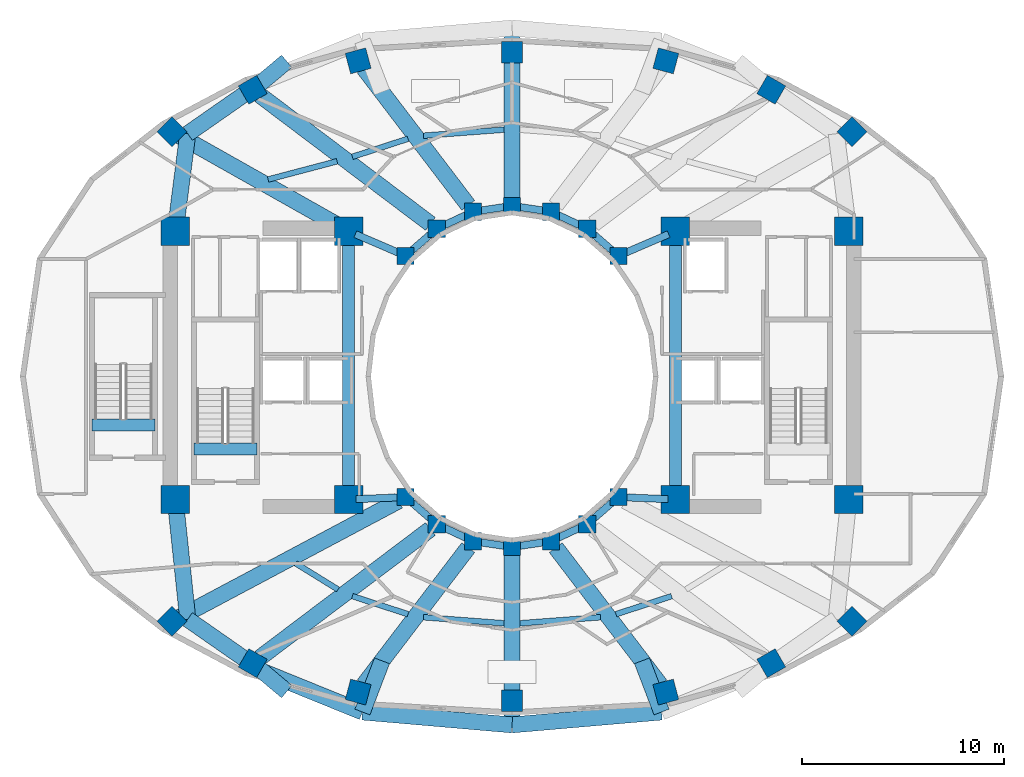
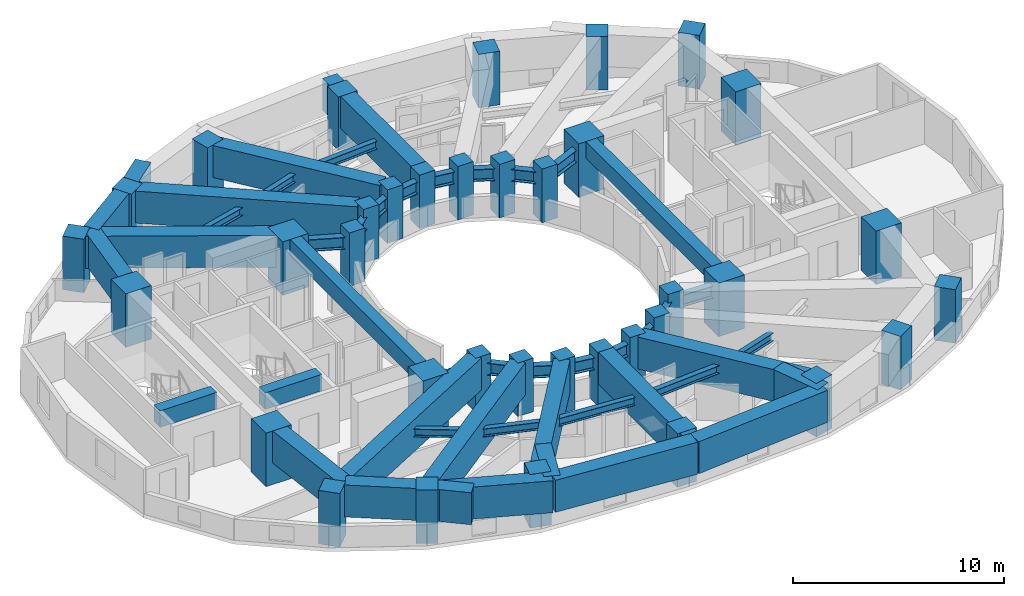
# One storey, part 1 of 9: 48 beams, 36 columns.
"""IFC4 building model written with IfcOpenShell, lengths in metres."""

from ifc_helpers import new_model, si_unit, direction, frame, origin, origin_2d, place, context, subcontext, project, spatial, rectangle, i_section, extrude, material, material_profile, profile_set, type_object, element, save


model = new_model("IFC4")

# Units and contexts
model_context = context("Model", 3, precision=1e-05, world=origin(), true_north=direction((0.0, 1.0)))
body_context = subcontext(model_context, "Body", "Model", "MODEL_VIEW")
ifc_project = project(units=[si_unit("LENGTHUNIT", "METRE"), si_unit("AREAUNIT", "SQUARE_METRE"), si_unit("VOLUMEUNIT", "CUBIC_METRE"), si_unit("PLANEANGLEUNIT", "RADIAN"), si_unit("MASSUNIT", "GRAM", prefix="KILO")], contexts=[model_context])

# Site, building, storey
site_placement = place(None, origin())
site = spatial("IfcSite", under=ifc_project, at=site_placement, CompositionType="ELEMENT")
building_placement = place(site_placement, origin())
building = spatial("IfcBuilding", under=site, at=building_placement, Name="Solvane Sanctuary Tower", CompositionType="ELEMENT")
storey_placement = place(building_placement, frame((0.0, 0.0, 125.89990234375)))
storey = spatial("IfcBuildingStorey", under=building, at=storey_placement, Name="L38", CompositionType="ELEMENT", Elevation=125.89990234375)

# Columns
ifc_material_1 = material(Name="Concrete C70/85", Category="concrete")
ifc_material_profile_1 = material_profile(ifc_material_1, rectangle(XDim=1.39990234375, YDim=1.39990234375, at=origin_2d()), Name="RC1400X1400")
ifc_profile_set_1 = profile_set([ifc_material_profile_1], Name="Concrete C70/85")
column_type_1 = type_object("IfcColumnType", Name="Column C-POD-INT RC1400X1400", PredefinedType="COLUMN", material=ifc_profile_set_1)
for number, where, z_axis, x_axis, name in (
    (1, (15.300048828125, 16.89990234375, 0.0), (0.0, 0.0, 1.0), (1.0, 0.0, 0.0), "L38 Core Corner Column CW1"),
    (2, (23.89990234375, 16.89990234375, 0.0), (0.0, 0.0, 1.0), (1.0, 0.0, 0.0), "L38 Core Corner Column CW2"),
    (3, (23.89990234375, 30.199951171875, 0.0), (0.0, 0.0, 1.0), (1.0, 0.0, 0.0), "L38 Core Corner Column CW3"),
    (4, (15.300048828125, 30.199951171875, 0.0), (0.0, 0.0, 1.0), (1.0, 0.0, 0.0), "L38 Core Corner Column CW4"),
    (5, (40.10009765625, 16.89990234375, 0.0), (0.0, 0.0, 1.0), (1.0, 0.0, 0.0), "L38 Core Corner Column CE1"),
    (6, (48.699951171875, 16.89990234375, 0.0), (0.0, 0.0, 1.0), (1.0, 0.0, 0.0), "L38 Core Corner Column CE2"),
    (7, (48.699951171875, 30.199951171875, 0.0), (0.0, 0.0, 1.0), (1.0, 0.0, 0.0), "L38 Core Corner Column CE3"),
    (8, (40.10009765625, 30.199951171875, 0.0), (0.0, 0.0, 1.0), (1.0, 0.0, 0.0), "L38 Core Corner Column CE4"),
):
    element("IfcColumn", number, at=place(storey_placement, frame(where, z_axis=z_axis, x_axis=x_axis)), inside=storey, type_object=column_type_1, Name=name, PredefinedType="COLUMN", context=body_context, shape_type="SweptSolid", body=[
        extrude(rectangle(XDim=1.39990234375, YDim=1.39990234375, at=origin_2d()), origin(), (0.0, 0.0, 1.0), 3.10009765625),
    ])
ifc_material_2 = material(Name="Concrete C60/75", Category="concrete")
ifc_material_profile_2 = material_profile(ifc_material_2, rectangle(XDim=0.85009765625, YDim=0.85009765625, at=origin_2d()), Name="RC850X850")
ifc_profile_set_2 = profile_set([ifc_material_profile_2], Name="Concrete C60/75")
column_type_2 = type_object("IfcColumnType", Name="Column C-RING-Z2 RC850X850", PredefinedType="COLUMN", material=ifc_profile_set_2)
for number, where, z_axis, x_axis, name in (
    (9, (37.27490234375, 28.982177734375, 0.0), (0.0, 0.0, 1.0), (1.0, 0.0, 0.0), "L38 Inner Light-Well Ring Column IC01"),
    (10, (35.72998046875, 30.32666015625, 0.0), (0.0, 0.0, 1.0), (1.0, 0.0, 0.0), "L38 Inner Light-Well Ring Column IC02"),
    (11, (33.930908203125, 31.171630859375, 0.0), (0.0, 0.0, 1.0), (1.0, 0.0, 0.0), "L38 Inner Light-Well Ring Column IC03"),
    (12, (32.0, 31.4599609375, 0.0), (0.0, 0.0, 1.0), (1.0, 0.0, 0.0), "L38 Inner Light-Well Ring Column IC04"),
    (13, (30.069091796875, 31.171630859375, 0.0), (0.0, 0.0, 1.0), (1.0, 0.0, 0.0), "L38 Inner Light-Well Ring Column IC05"),
    (14, (28.27001953125, 30.32666015625, 0.0), (0.0, 0.0, 1.0), (1.0, 0.0, 0.0), "L38 Inner Light-Well Ring Column IC06"),
    (15, (26.72509765625, 28.982177734375, 0.0), (0.0, 0.0, 1.0), (1.0, 0.0, 0.0), "L38 Inner Light-Well Ring Column IC07"),
    (16, (26.72509765625, 17.017822265625, 0.0), (0.0, 0.0, 1.0), (1.0, 0.0, 0.0), "L38 Inner Light-Well Ring Column IC08"),
    (17, (28.27001953125, 15.67333984375, 0.0), (0.0, 0.0, 1.0), (1.0, 0.0, 0.0), "L38 Inner Light-Well Ring Column IC09"),
    (18, (30.069091796875, 14.828369140625, 0.0), (0.0, 0.0, 1.0), (1.0, 0.0, 0.0), "L38 Inner Light-Well Ring Column IC10"),
    (19, (32.0, 14.5400390625, 0.0), (0.0, 0.0, 1.0), (1.0, 0.0, 0.0), "L38 Inner Light-Well Ring Column IC11"),
    (20, (33.930908203125, 14.828369140625, 0.0), (0.0, 0.0, 1.0), (1.0, 0.0, 0.0), "L38 Inner Light-Well Ring Column IC12"),
    (21, (35.72998046875, 15.67333984375, 0.0), (0.0, 0.0, 1.0), (1.0, 0.0, 0.0), "L38 Inner Light-Well Ring Column IC13"),
    (22, (37.27490234375, 17.017822265625, 0.0), (0.0, 0.0, 1.0), (1.0, 0.0, 0.0), "L38 Inner Light-Well Ring Column IC14"),
):
    element("IfcColumn", number, at=place(storey_placement, frame(where, z_axis=z_axis, x_axis=x_axis)), inside=storey, type_object=column_type_2, Name=name, PredefinedType="COLUMN", context=body_context, shape_type="SweptSolid", body=[
        extrude(rectangle(XDim=0.85009765625, YDim=0.85009765625, at=origin_2d()), origin(), (0.0, 0.0, 1.0), 3.10009765625),
    ])
ifc_material_profile_3 = material_profile(ifc_material_2, rectangle(XDim=1.050048828125, YDim=1.050048828125, at=origin_2d()), Name="RC1050X1050")
ifc_profile_set_3 = profile_set([ifc_material_profile_3], Name="Concrete C60/75")
column_type_3 = type_object("IfcColumnType", Name="Column C-TUBE-Z2 RC1050X1050", PredefinedType="COLUMN", material=ifc_profile_set_3)
for number, where, z_axis, x_axis, name in (
    (23, (48.85302734375, 35.13818359375, 0.0), (0.0, 0.0, 1.0), (0.707106781187, 0.707106781187, 0.0), "L38 Perimeter Tube Column TC01"),
    (24, (44.8583984375, 37.217529296875, 0.0), (0.0, 0.0, 1.0), (0.5, 0.866025403784, 0.0), "L38 Perimeter Tube Column TC02"),
    (25, (39.62939453125, 38.652099609375, 0.0), (0.0, 0.0, 1.0), (0.258819045103, 0.965925826289, 0.0), "L38 Perimeter Tube Column TC03"),
    (26, (32.0, 39.080078125, 0.0), (0.0, 0.0, 1.0), (0.0, 1.0, 0.0), "L38 Perimeter Tube Column TC04"),
    (27, (24.37060546875, 38.652099609375, 0.0), (0.0, 0.0, 1.0), (-0.258819045103, 0.965925826289, 0.0), "L38 Perimeter Tube Column TC05"),
    (28, (19.1416015625, 37.217529296875, 0.0), (0.0, 0.0, 1.0), (-0.5, 0.866025403784, 0.0), "L38 Perimeter Tube Column TC06"),
    (29, (15.14697265625, 35.13818359375, 0.0), (0.0, 0.0, 1.0), (-0.707106781187, 0.707106781187, 0.0), "L38 Perimeter Tube Column TC07"),
    (30, (15.14697265625, 10.86181640625, 0.0), (0.0, 0.0, 1.0), (-0.707106781187, -0.707106781187, 0.0), "L38 Perimeter Tube Column TC08"),
    (31, (19.1416015625, 8.782470703125, 0.0), (0.0, 0.0, 1.0), (-0.5, -0.866025403784, 0.0), "L38 Perimeter Tube Column TC09"),
    (32, (24.37060546875, 7.347900390625, 0.0), (0.0, 0.0, 1.0), (-0.258819045103, -0.965925826289, 0.0), "L38 Perimeter Tube Column TC10"),
    (33, (32.0, 6.919921875, 0.0), (0.0, 0.0, 1.0), (0.0, -1.0, 0.0), "L38 Perimeter Tube Column TC11"),
    (34, (39.62939453125, 7.347900390625, 0.0), (0.0, 0.0, 1.0), (0.258819045103, -0.965925826289, 0.0), "L38 Perimeter Tube Column TC12"),
    (35, (44.8583984375, 8.782470703125, 0.0), (0.0, 0.0, 1.0), (0.5, -0.866025403784, 0.0), "L38 Perimeter Tube Column TC13"),
    (36, (48.85302734375, 10.86181640625, 0.0), (0.0, 0.0, 1.0), (0.707106781187, -0.707106781187, 0.0), "L38 Perimeter Tube Column TC14"),
):
    element("IfcColumn", number, at=place(storey_placement, frame(where, z_axis=z_axis, x_axis=x_axis)), inside=storey, type_object=column_type_3, Name=name, PredefinedType="COLUMN", context=body_context, shape_type="SweptSolid", body=[
        extrude(rectangle(XDim=1.050048828125, YDim=1.050048828125, at=origin_2d()), origin(), (0.0, 0.0, 1.0), 3.10009765625),
    ])

# Beams
ifc_material_profile_4 = material_profile(ifc_material_1, rectangle(XDim=0.60009765625, YDim=0.949951171875, at=origin_2d()), Name="RC600X950")
ifc_profile_set_4 = profile_set([ifc_material_profile_4], Name="Concrete C70/85")
beam_type_1 = type_object("IfcBeamType", Name="Beam B-COUPLE RC600X950", PredefinedType="LINTEL", material=ifc_profile_set_4)
for number, where, z_axis, x_axis, name in (
    (37, (23.89990234375, 17.35009765625, 2.625), (0.0, 1.0, 0.0), (-1.0, 0.0, 0.0), "L38 West Core Coupling Lintel"),
    (38, (40.10009765625, 17.35009765625, 2.625), (0.0, 1.0, 0.0), (-1.0, 0.0, 0.0), "L38 East Core Coupling Lintel"),
):
    element("IfcBeam", number, at=place(storey_placement, frame(where, z_axis=z_axis, x_axis=x_axis)), inside=storey, type_object=beam_type_1, Name=name, PredefinedType="LINTEL", context=body_context, shape_type="SweptSolid", body=[
        extrude(rectangle(XDim=0.60009765625, YDim=0.949951171875, at=origin_2d()), origin(), (0.0, 0.0, 1.0), 12.39990234375),
    ])
for number, where, z_axis, x_axis, name in (
    (39, (16.22998046875, 19.399169921875, 2.625), (1.0, 0.0, 0.0), (0.0, 1.0, 0.0), "L38 ST-1 Stair Floor Landing Trimmer"),
    (40, (11.169921875, 20.59912109375, 2.625), (1.0, 0.0, 0.0), (0.0, 1.0, 0.0), "L38 ST-3 Stair Floor Landing Trimmer"),
):
    element("IfcBeam", number, at=place(storey_placement, frame(where, z_axis=z_axis, x_axis=x_axis)), inside=storey, type_object=beam_type_1, Name=name, PredefinedType="LINTEL", context=body_context, shape_type="SweptSolid", body=[
        extrude(rectangle(XDim=0.60009765625, YDim=0.949951171875, at=origin_2d()), origin(), (0.0, 0.0, 1.0), 3.1201171875),
    ])
ifc_material_3 = material(Name="Steel ASTM A992 Grade 50", Category="steel")
ifc_material_profile_5 = material_profile(ifc_material_3, i_section(OverallWidth=0.35498046875, OverallDepth=0.695068359375, WebThickness=0.015380859375, FlangeThickness=0.02490234375, FilletRadius=0.01806640625, at=origin_2d()), Name="W27X146")
ifc_profile_set_5 = profile_set([ifc_material_profile_5], Name="Steel ASTM A992 Grade 50")
beam_type_2 = type_object("IfcBeamType", Name="Beam B-RING-IN1 W27X146", PredefinedType="BEAM", material=ifc_profile_set_5)
beam_1_placement = place(storey_placement, frame((24.230712890625, 30.0576171875, 2.25048828125), z_axis=(0.918261456479, -0.3959746173, 0.0), x_axis=(0.3959746173, 0.918261456479, 0.0)))
element("IfcBeam", 41, at=beam_1_placement, inside=storey, type_object=beam_type_2, Name="L38 Inner Light-Well Ring Beam CW3-IC07", PredefinedType="BEAM", context=body_context, shape_type="SweptSolid", body=[
    extrude(i_section(OverallWidth=0.35498046875, OverallDepth=0.695068359375, WebThickness=0.015380859375, FlangeThickness=0.02490234375, FilletRadius=0.01806640625, at=origin_2d()), origin(), (0.0, 0.0, 1.0), 2.3212890625),
])
beam_2_placement = place(storey_placement, frame((27.02294921875, 29.241455078125, 2.25048828125), z_axis=(0.754317177099, 0.656510164684, 0.0), x_axis=(-0.656510164684, 0.754317177099, 0.0)))
element("IfcBeam", 42, at=beam_2_placement, inside=storey, type_object=beam_type_2, Name="L38 Inner Light-Well Ring Beam IC07-IC06", PredefinedType="BEAM", context=body_context, shape_type="SweptSolid", body=[
    extrude(i_section(OverallWidth=0.35498046875, OverallDepth=0.695068359375, WebThickness=0.015380859375, FlangeThickness=0.02490234375, FilletRadius=0.01806640625, at=origin_2d()), origin(), (0.0, 0.0, 1.0), 1.258056640625),
])
beam_3_placement = place(storey_placement, frame((28.62744140625, 30.494384765625, 2.25048828125), z_axis=(0.905044882818, 0.425316070804, 0.0), x_axis=(-0.425316070804, 0.905044882818, 0.0)))
element("IfcBeam", 43, at=beam_3_placement, inside=storey, type_object=beam_type_2, Name="L38 Inner Light-Well Ring Beam IC06-IC05", PredefinedType="BEAM", context=body_context, shape_type="SweptSolid", body=[
    extrude(i_section(OverallWidth=0.35498046875, OverallDepth=0.695068359375, WebThickness=0.015380859375, FlangeThickness=0.02490234375, FilletRadius=0.01806640625, at=origin_2d()), origin(), (0.0, 0.0, 1.0), 1.197998046875),
])
for number, where, z_axis, x_axis, name in (
    (44, (30.4599609375, 31.22998046875, 2.25048828125), (0.989034751611, 0.147682971619, 0.0), (-0.147682971619, 0.989034751611, 0.0), "L38 Inner Light-Well Ring Beam IC05-IC04"),
    (45, (32.390625, 31.401611328125, 2.25048828125), (0.989034751611, -0.147682971619, 0.0), (0.147682971619, 0.989034751611, 0.0), "L38 Inner Light-Well Ring Beam IC04-IC03"),
):
    element("IfcBeam", number, at=place(storey_placement, frame(where, z_axis=z_axis, x_axis=x_axis)), inside=storey, type_object=beam_type_2, Name=name, PredefinedType="BEAM", context=body_context, shape_type="SweptSolid", body=[
        extrude(i_section(OverallWidth=0.35498046875, OverallDepth=0.695068359375, WebThickness=0.015380859375, FlangeThickness=0.02490234375, FilletRadius=0.01806640625, at=origin_2d()), origin(), (0.0, 0.0, 1.0), 1.162109375),
    ])
beam_4_placement = place(storey_placement, frame((34.288330078125, 31.00390625, 2.25048828125), z_axis=(0.905044882818, -0.425316070804, 0.0), x_axis=(0.425316070804, 0.905044882818, 0.0)))
element("IfcBeam", 46, at=beam_4_placement, inside=storey, type_object=beam_type_2, Name="L38 Inner Light-Well Ring Beam IC03-IC02", PredefinedType="BEAM", context=body_context, shape_type="SweptSolid", body=[
    extrude(i_section(OverallWidth=0.35498046875, OverallDepth=0.695068359375, WebThickness=0.015380859375, FlangeThickness=0.02490234375, FilletRadius=0.01806640625, at=origin_2d()), origin(), (0.0, 0.0, 1.0), 1.197998046875),
])
beam_5_placement = place(storey_placement, frame((36.028076171875, 30.0673828125, 2.25048828125), z_axis=(0.754317177099, -0.656510164684, 0.0), x_axis=(0.656510164684, 0.754317177099, 0.0)))
element("IfcBeam", 47, at=beam_5_placement, inside=storey, type_object=beam_type_2, Name="L38 Inner Light-Well Ring Beam IC02-IC01", PredefinedType="BEAM", context=body_context, shape_type="SweptSolid", body=[
    extrude(i_section(OverallWidth=0.35498046875, OverallDepth=0.695068359375, WebThickness=0.015380859375, FlangeThickness=0.02490234375, FilletRadius=0.01806640625, at=origin_2d()), origin(), (0.0, 0.0, 1.0), 1.258056640625),
])
beam_6_placement = place(storey_placement, frame((37.6376953125, 29.138427734375, 2.25048828125), z_axis=(0.918261456479, 0.3959746173, 0.0), x_axis=(-0.3959746173, 0.918261456479, 0.0)))
element("IfcBeam", 48, at=beam_6_placement, inside=storey, type_object=beam_type_2, Name="L38 Inner Light-Well Ring Beam IC01-CE4", PredefinedType="BEAM", context=body_context, shape_type="SweptSolid", body=[
    extrude(i_section(OverallWidth=0.35498046875, OverallDepth=0.695068359375, WebThickness=0.015380859375, FlangeThickness=0.02490234375, FilletRadius=0.01806640625, at=origin_2d()), origin(), (0.0, 0.0, 1.0), 2.3212890625),
])
beam_7_placement = place(storey_placement, frame((24.259765625, 16.9150390625, 2.25048828125), z_axis=(0.999130007788, 0.041704047018, 0.0), x_axis=(-0.041704047018, 0.999130007788, 0.0)))
element("IfcBeam", 49, at=beam_7_placement, inside=storey, type_object=beam_type_2, Name="L38 Inner Light-Well Ring Beam CW2-IC08", PredefinedType="BEAM", context=body_context, shape_type="SweptSolid", body=[
    extrude(i_section(OverallWidth=0.35498046875, OverallDepth=0.695068359375, WebThickness=0.015380859375, FlangeThickness=0.02490234375, FilletRadius=0.01806640625, at=origin_2d()), origin(), (0.0, 0.0, 1.0), 2.072265625),
])
beam_8_placement = place(storey_placement, frame((27.02294921875, 16.758544921875, 2.25048828125), z_axis=(0.754317177099, -0.656510164684, 0.0), x_axis=(0.656510164684, 0.754317177099, 0.0)))
element("IfcBeam", 50, at=beam_8_placement, inside=storey, type_object=beam_type_2, Name="L38 Inner Light-Well Ring Beam IC08-IC09", PredefinedType="BEAM", context=body_context, shape_type="SweptSolid", body=[
    extrude(i_section(OverallWidth=0.35498046875, OverallDepth=0.695068359375, WebThickness=0.015380859375, FlangeThickness=0.02490234375, FilletRadius=0.01806640625, at=origin_2d()), origin(), (0.0, 0.0, 1.0), 1.258056640625),
])
beam_9_placement = place(storey_placement, frame((28.62744140625, 15.505615234375, 2.25048828125), z_axis=(0.905044882818, -0.425316070804, 0.0), x_axis=(0.425316070804, 0.905044882818, 0.0)))
element("IfcBeam", 51, at=beam_9_placement, inside=storey, type_object=beam_type_2, Name="L38 Inner Light-Well Ring Beam IC09-IC10", PredefinedType="BEAM", context=body_context, shape_type="SweptSolid", body=[
    extrude(i_section(OverallWidth=0.35498046875, OverallDepth=0.695068359375, WebThickness=0.015380859375, FlangeThickness=0.02490234375, FilletRadius=0.01806640625, at=origin_2d()), origin(), (0.0, 0.0, 1.0), 1.197998046875),
])
for number, where, z_axis, x_axis, name in (
    (52, (30.4599609375, 14.77001953125, 2.25048828125), (0.989034751611, -0.147682971619, 0.0), (0.147682971619, 0.989034751611, 0.0), "L38 Inner Light-Well Ring Beam IC10-IC11"),
    (53, (32.390625, 14.598388671875, 2.25048828125), (0.989034751611, 0.147682971619, 0.0), (-0.147682971619, 0.989034751611, 0.0), "L38 Inner Light-Well Ring Beam IC11-IC12"),
):
    element("IfcBeam", number, at=place(storey_placement, frame(where, z_axis=z_axis, x_axis=x_axis)), inside=storey, type_object=beam_type_2, Name=name, PredefinedType="BEAM", context=body_context, shape_type="SweptSolid", body=[
        extrude(i_section(OverallWidth=0.35498046875, OverallDepth=0.695068359375, WebThickness=0.015380859375, FlangeThickness=0.02490234375, FilletRadius=0.01806640625, at=origin_2d()), origin(), (0.0, 0.0, 1.0), 1.162109375),
    ])
beam_10_placement = place(storey_placement, frame((34.288330078125, 14.99609375, 2.25048828125), z_axis=(0.905044882818, 0.425316070804, 0.0), x_axis=(-0.425316070804, 0.905044882818, 0.0)))
element("IfcBeam", 54, at=beam_10_placement, inside=storey, type_object=beam_type_2, Name="L38 Inner Light-Well Ring Beam IC12-IC13", PredefinedType="BEAM", context=body_context, shape_type="SweptSolid", body=[
    extrude(i_section(OverallWidth=0.35498046875, OverallDepth=0.695068359375, WebThickness=0.015380859375, FlangeThickness=0.02490234375, FilletRadius=0.01806640625, at=origin_2d()), origin(), (0.0, 0.0, 1.0), 1.197998046875),
])
beam_11_placement = place(storey_placement, frame((36.028076171875, 15.9326171875, 2.25048828125), z_axis=(0.754317177099, 0.656510164684, 0.0), x_axis=(-0.656510164684, 0.754317177099, 0.0)))
element("IfcBeam", 55, at=beam_11_placement, inside=storey, type_object=beam_type_2, Name="L38 Inner Light-Well Ring Beam IC13-IC14", PredefinedType="BEAM", context=body_context, shape_type="SweptSolid", body=[
    extrude(i_section(OverallWidth=0.35498046875, OverallDepth=0.695068359375, WebThickness=0.015380859375, FlangeThickness=0.02490234375, FilletRadius=0.01806640625, at=origin_2d()), origin(), (0.0, 0.0, 1.0), 1.258056640625),
])
beam_12_placement = place(storey_placement, frame((37.669677734375, 17.00146484375, 2.25048828125), z_axis=(0.999130007788, -0.041704047018, 0.0), x_axis=(0.041704047018, 0.999130007788, 0.0)))
element("IfcBeam", 56, at=beam_12_placement, inside=storey, type_object=beam_type_2, Name="L38 Inner Light-Well Ring Beam IC14-CE1", PredefinedType="BEAM", context=body_context, shape_type="SweptSolid", body=[
    extrude(i_section(OverallWidth=0.35498046875, OverallDepth=0.695068359375, WebThickness=0.015380859375, FlangeThickness=0.02490234375, FilletRadius=0.01806640625, at=origin_2d()), origin(), (0.0, 0.0, 1.0), 2.072265625),
])
ifc_material_profile_6 = material_profile(ifc_material_3, i_section(OverallWidth=0.280029296875, OverallDepth=0.462890625, WebThickness=0.0107421875, FlangeThickness=0.017333984375, FilletRadius=0.013916015625, at=origin_2d()), Name="W18X76")
ifc_profile_set_6 = profile_set([ifc_material_profile_6], Name="Steel ASTM A992 Grade 50")
beam_type_3 = type_object("IfcBeamType", Name="Beam B-SEC-JOIST W18X76", PredefinedType="JOIST", material=ifc_profile_set_6)
beam_13_placement = place(storey_placement, frame((19.905517578125, 32.769775390625, 2.36669921875), z_axis=(0.966933950573, 0.2550269304, 0.0), x_axis=(-0.2550269304, 0.966933950573, 0.0)))
element("IfcBeam", 57, at=beam_13_placement, inside=storey, type_object=beam_type_3, Name="L38 Secondary Circumferential Joist 07-06", PredefinedType="JOIST", context=body_context, shape_type="SweptSolid", body=[
    extrude(i_section(OverallWidth=0.280029296875, OverallDepth=0.462890625, WebThickness=0.0107421875, FlangeThickness=0.017333984375, FilletRadius=0.013916015625, at=origin_2d()), origin(), (0.0, 0.0, 1.0), 3.535400390625),
])
beam_14_placement = place(storey_placement, frame((24.08154296875, 33.89404296875, 2.36669921875), z_axis=(0.951224152345, 0.308500586701, 0.0), x_axis=(-0.308500586701, 0.951224152345, 0.0)))
element("IfcBeam", 58, at=beam_14_placement, inside=storey, type_object=beam_type_3, Name="L38 Secondary Circumferential Joist 06-05", PredefinedType="JOIST", context=body_context, shape_type="SweptSolid", body=[
    extrude(i_section(OverallWidth=0.280029296875, OverallDepth=0.462890625, WebThickness=0.0107421875, FlangeThickness=0.017333984375, FilletRadius=0.013916015625, at=origin_2d()), origin(), (0.0, 0.0, 1.0), 2.904296875),
])
beam_15_placement = place(storey_placement, frame((27.61376953125, 34.94140625, 2.36669921875), z_axis=(0.997206014057, 0.074700505548, 0.0), x_axis=(-0.074700505548, 0.997206014057, 0.0)))
element("IfcBeam", 59, at=beam_15_placement, inside=storey, type_object=beam_type_3, Name="L38 Secondary Circumferential Joist 05-04", PredefinedType="JOIST", context=body_context, shape_type="SweptSolid", body=[
    extrude(i_section(OverallWidth=0.280029296875, OverallDepth=0.462890625, WebThickness=0.0107421875, FlangeThickness=0.017333984375, FilletRadius=0.013916015625, at=origin_2d()), origin(), (0.0, 0.0, 1.0), 4.003662109375),
])
beam_16_placement = place(storey_placement, frame((21.27197265625, 13.732177734375, 2.36669921875), z_axis=(0.850640451739, -0.525747869101, 0.0), x_axis=(0.525747869101, 0.850640451739, 0.0)))
element("IfcBeam", 60, at=beam_16_placement, inside=storey, type_object=beam_type_3, Name="L38 Secondary Circumferential Joist 08-09", PredefinedType="JOIST", context=body_context, shape_type="SweptSolid", body=[
    extrude(i_section(OverallWidth=0.280029296875, OverallDepth=0.462890625, WebThickness=0.0107421875, FlangeThickness=0.017333984375, FilletRadius=0.013916015625, at=origin_2d()), origin(), (0.0, 0.0, 1.0), 2.46630859375),
])
beam_17_placement = place(storey_placement, frame((24.08154296875, 12.10595703125, 2.36669921875), z_axis=(0.951224152345, -0.308500586701, 0.0), x_axis=(0.308500586701, 0.951224152345, 0.0)))
element("IfcBeam", 61, at=beam_17_placement, inside=storey, type_object=beam_type_3, Name="L38 Secondary Circumferential Joist 09-10", PredefinedType="JOIST", context=body_context, shape_type="SweptSolid", body=[
    extrude(i_section(OverallWidth=0.280029296875, OverallDepth=0.462890625, WebThickness=0.0107421875, FlangeThickness=0.017333984375, FilletRadius=0.013916015625, at=origin_2d()), origin(), (0.0, 0.0, 1.0), 2.904296875),
])
for number, where, z_axis, x_axis, name in (
    (62, (27.61376953125, 11.05859375, 2.36669921875), (0.997206014057, -0.074700505548, 0.0), (0.074700505548, 0.997206014057, 0.0), "L38 Secondary Circumferential Joist 10-11"),
    (63, (32.393798828125, 10.759521484375, 2.36669921875), (0.997206014057, 0.074700505548, 0.0), (-0.074700505548, 0.997206014057, 0.0), "L38 Secondary Circumferential Joist 11-12"),
):
    element("IfcBeam", number, at=place(storey_placement, frame(where, z_axis=z_axis, x_axis=x_axis)), inside=storey, type_object=beam_type_3, Name=name, PredefinedType="JOIST", context=body_context, shape_type="SweptSolid", body=[
        extrude(i_section(OverallWidth=0.280029296875, OverallDepth=0.462890625, WebThickness=0.0107421875, FlangeThickness=0.017333984375, FilletRadius=0.013916015625, at=origin_2d()), origin(), (0.0, 0.0, 1.0), 4.003662109375),
    ])
beam_18_placement = place(storey_placement, frame((37.15576171875, 11.2099609375, 2.36669921875), z_axis=(0.951224152345, 0.308500586701, 0.0), x_axis=(-0.308500586701, 0.951224152345, 0.0)))
element("IfcBeam", 64, at=beam_18_placement, inside=storey, type_object=beam_type_3, Name="L38 Secondary Circumferential Joist 12-13", PredefinedType="JOIST", context=body_context, shape_type="SweptSolid", body=[
    extrude(i_section(OverallWidth=0.280029296875, OverallDepth=0.462890625, WebThickness=0.0107421875, FlangeThickness=0.017333984375, FilletRadius=0.013916015625, at=origin_2d()), origin(), (0.0, 0.0, 1.0), 2.904296875),
])
ifc_material_profile_7 = material_profile(ifc_material_1, rectangle(XDim=0.800048828125, YDim=1.85009765625, at=origin_2d()), Name="RC800X1850")
ifc_profile_set_7 = profile_set([ifc_material_profile_7], Name="Concrete C70/85")
beam_type_4 = type_object("IfcBeamType", Name="Beam B-XFER-BLK RC800X1850", PredefinedType="BEAM", material=ifc_profile_set_7)
beam_19_placement = place(storey_placement, frame((32.0, 31.85498046875, 2.175048828125), z_axis=(0.0, 1.0, 0.0), x_axis=(-1.0, 0.0, 0.0)))
element("IfcBeam", 65, at=beam_19_placement, inside=storey, type_object=beam_type_4, Name="L38 Block-Shift Radial Transfer Girder 04A", PredefinedType="BEAM", context=body_context, shape_type="SweptSolid", body=[
    extrude(rectangle(XDim=0.800048828125, YDim=1.85009765625, at=origin_2d()), origin(), (0.0, 0.0, 1.0), 8.425048828125),
])
beam_20_placement = place(storey_placement, frame((29.829833984375, 31.48583984375, 2.175048828125), z_axis=(-0.605981369549, 0.795478836777, 0.0), x_axis=(-0.795478836777, -0.605981369549, 0.0)))
element("IfcBeam", 66, at=beam_20_placement, inside=storey, type_object=beam_type_4, Name="L38 Block-Shift Radial Transfer Girder 05A", PredefinedType="BEAM", context=body_context, shape_type="SweptSolid", body=[
    extrude(rectangle(XDim=0.800048828125, YDim=1.85009765625, at=origin_2d()), origin(), (0.0, 0.0, 1.0), 8.563720703125),
])
beam_21_placement = place(storey_placement, frame((27.95458984375, 30.564697265625, 2.175048828125), z_axis=(-0.798118916751, 0.602499954128, 0.0), x_axis=(-0.602499954128, -0.798118916751, 0.0)))
element("IfcBeam", 67, at=beam_21_placement, inside=storey, type_object=beam_type_4, Name="L38 Block-Shift Radial Transfer Girder 06A", PredefinedType="BEAM", context=body_context, shape_type="SweptSolid", body=[
    extrude(rectangle(XDim=0.800048828125, YDim=1.85009765625, at=origin_2d()), origin(), (0.0, 0.0, 1.0), 10.59716796875),
])
beam_22_placement = place(storey_placement, frame((19.179931640625, 37.24951171875, 2.175048828125), z_axis=(0.766739477312, 0.641958389564, 0.0), x_axis=(-0.641958389564, 0.766739477312, 0.0)))
element("IfcBeam", 68, at=beam_22_placement, inside=storey, type_object=beam_type_4, Name="L38 Block-Shift Transfer Tie 06B", PredefinedType="BEAM", context=body_context, shape_type="SweptSolid", body=[
    extrude(rectangle(XDim=0.800048828125, YDim=1.85009765625, at=origin_2d()), origin(), (0.0, 0.0, 1.0), 2.150146484375),
])
beam_23_placement = place(storey_placement, frame((23.58642578125, 30.376953125, 2.175048828125), z_axis=(-0.870953365504, 0.491365683699, 0.0), x_axis=(-0.491365683699, -0.870953365504, 0.0)))
element("IfcBeam", 69, at=beam_23_placement, inside=storey, type_object=beam_type_4, Name="L38 Block-Shift Radial Transfer Girder 07A", PredefinedType="BEAM", context=body_context, shape_type="SweptSolid", body=[
    extrude(rectangle(XDim=0.800048828125, YDim=1.85009765625, at=origin_2d()), origin(), (0.0, 0.0, 1.0), 9.284912109375),
])
beam_24_placement = place(storey_placement, frame((26.376220703125, 16.83251953125, 2.175048828125), z_axis=(-0.882947765394, -0.469471238294, 0.0), x_axis=(0.469471238294, -0.882947765394, 0.0)))
element("IfcBeam", 70, at=beam_24_placement, inside=storey, type_object=beam_type_4, Name="L38 Block-Shift Radial Transfer Girder 08A", PredefinedType="BEAM", context=body_context, shape_type="SweptSolid", body=[
    extrude(rectangle(XDim=0.800048828125, YDim=1.85009765625, at=origin_2d()), origin(), (0.0, 0.0, 1.0), 12.312744140625),
])
beam_25_placement = place(storey_placement, frame((27.95458984375, 15.435302734375, 2.175048828125), z_axis=(-0.798118916751, -0.602499954128, 0.0), x_axis=(0.602499954128, -0.798118916751, 0.0)))
element("IfcBeam", 71, at=beam_25_placement, inside=storey, type_object=beam_type_4, Name="L38 Block-Shift Radial Transfer Girder 09A", PredefinedType="BEAM", context=body_context, shape_type="SweptSolid", body=[
    extrude(rectangle(XDim=0.800048828125, YDim=1.85009765625, at=origin_2d()), origin(), (0.0, 0.0, 1.0), 10.59716796875),
])
beam_26_placement = place(storey_placement, frame((19.179931640625, 8.75048828125, 2.175048828125), z_axis=(0.766739477312, -0.641958389564, 0.0), x_axis=(0.641958389564, 0.766739477312, 0.0)))
element("IfcBeam", 72, at=beam_26_placement, inside=storey, type_object=beam_type_4, Name="L38 Block-Shift Transfer Tie 09B", PredefinedType="BEAM", context=body_context, shape_type="SweptSolid", body=[
    extrude(rectangle(XDim=0.800048828125, YDim=1.85009765625, at=origin_2d()), origin(), (0.0, 0.0, 1.0), 2.150146484375),
])
beam_27_placement = place(storey_placement, frame((29.829833984375, 14.51416015625, 2.175048828125), z_axis=(-0.605981369549, -0.795478836777, 0.0), x_axis=(0.795478836777, -0.605981369549, 0.0)))
element("IfcBeam", 73, at=beam_27_placement, inside=storey, type_object=beam_type_4, Name="L38 Block-Shift Radial Transfer Girder 10A", PredefinedType="BEAM", context=body_context, shape_type="SweptSolid", body=[
    extrude(rectangle(XDim=0.800048828125, YDim=1.85009765625, at=origin_2d()), origin(), (0.0, 0.0, 1.0), 8.563720703125),
])
beam_28_placement = place(storey_placement, frame((25.55224609375, 8.899169921875, 2.175048828125), z_axis=(-0.356637449098, -0.934242864517, 0.0), x_axis=(0.934242864517, -0.356637449098, 0.0)))
element("IfcBeam", 74, at=beam_28_placement, inside=storey, type_object=beam_type_4, Name="L38 Block-Shift Transfer Tie 10B", PredefinedType="BEAM", context=body_context, shape_type="SweptSolid", body=[
    extrude(rectangle(XDim=0.800048828125, YDim=1.85009765625, at=origin_2d()), origin(), (0.0, 0.0, 1.0), 2.718994140625),
])
beam_29_placement = place(storey_placement, frame((32.0, 14.14501953125, 2.175048828125), z_axis=(0.0, -1.0, 0.0), x_axis=(1.0, 0.0, 0.0)))
element("IfcBeam", 75, at=beam_29_placement, inside=storey, type_object=beam_type_4, Name="L38 Block-Shift Radial Transfer Girder 11A", PredefinedType="BEAM", context=body_context, shape_type="SweptSolid", body=[
    extrude(rectangle(XDim=0.800048828125, YDim=1.85009765625, at=origin_2d()), origin(), (0.0, 0.0, 1.0), 8.425048828125),
])
beam_30_placement = place(storey_placement, frame((34.170166015625, 14.51416015625, 2.175048828125), z_axis=(0.605981369549, -0.795478836777, 0.0), x_axis=(0.795478836777, 0.605981369549, 0.0)))
element("IfcBeam", 76, at=beam_30_placement, inside=storey, type_object=beam_type_4, Name="L38 Block-Shift Radial Transfer Girder 12A", PredefinedType="BEAM", context=body_context, shape_type="SweptSolid", body=[
    extrude(rectangle(XDim=0.800048828125, YDim=1.85009765625, at=origin_2d()), origin(), (0.0, 0.0, 1.0), 8.563720703125),
])
beam_31_placement = place(storey_placement, frame((38.44775390625, 8.899169921875, 2.175048828125), z_axis=(0.356637449098, -0.934242864517, 0.0), x_axis=(0.934242864517, 0.356637449098, 0.0)))
element("IfcBeam", 77, at=beam_31_placement, inside=storey, type_object=beam_type_4, Name="L38 Block-Shift Transfer Tie 12B", PredefinedType="BEAM", context=body_context, shape_type="SweptSolid", body=[
    extrude(rectangle(XDim=0.800048828125, YDim=1.85009765625, at=origin_2d()), origin(), (0.0, 0.0, 1.0), 2.718994140625),
])
beam_32_placement = place(storey_placement, frame((15.345703125, 30.55712890625, 2.175048828125), z_axis=(0.127072999656, 0.991893367635, 0.0), x_axis=(-0.991893367635, 0.127072999656, 0.0)))
element("IfcBeam", 78, at=beam_32_placement, inside=storey, type_object=beam_type_4, Name="L38 Perimeter Step Transfer Ring CW4-NTC07", PredefinedType="BEAM", context=body_context, shape_type="SweptSolid", body=[
    extrude(rectangle(XDim=0.800048828125, YDim=1.85009765625, at=origin_2d()), origin(), (0.0, 0.0, 1.0), 4.518798828125),
])
beam_33_placement = place(storey_placement, frame((15.919921875, 35.039306640625, 2.175048828125), z_axis=(0.820192815558, 0.572087183309, 0.0), x_axis=(-0.572087183309, 0.820192815558, 0.0)))
element("IfcBeam", 79, at=beam_33_placement, inside=storey, type_object=beam_type_4, Name="L38 Perimeter Step Transfer Ring NTC07-NTC06", PredefinedType="BEAM", context=body_context, shape_type="SweptSolid", body=[
    extrude(rectangle(XDim=0.800048828125, YDim=1.85009765625, at=origin_2d()), origin(), (0.0, 0.0, 1.0), 4.530517578125),
])
beam_34_placement = place(storey_placement, frame((15.33740234375, 16.5419921875, 2.175048828125), z_axis=(0.103806035559, -0.994597560314, 0.0), x_axis=(0.994597560314, 0.103806035559, 0.0)))
element("IfcBeam", 80, at=beam_34_placement, inside=storey, type_object=beam_type_4, Name="L38 Perimeter Step Transfer Ring CW1-NTC08", PredefinedType="BEAM", context=body_context, shape_type="SweptSolid", body=[
    extrude(rectangle(XDim=0.800048828125, YDim=1.85009765625, at=origin_2d()), origin(), (0.0, 0.0, 1.0), 5.611572265625),
])
beam_35_placement = place(storey_placement, frame((15.919921875, 10.960693359375, 2.175048828125), z_axis=(0.820192815558, -0.572087183309, 0.0), x_axis=(0.572087183309, 0.820192815558, 0.0)))
element("IfcBeam", 81, at=beam_35_placement, inside=storey, type_object=beam_type_4, Name="L38 Perimeter Step Transfer Ring NTC08-NTC09", PredefinedType="BEAM", context=body_context, shape_type="SweptSolid", body=[
    extrude(rectangle(XDim=0.800048828125, YDim=1.85009765625, at=origin_2d()), origin(), (0.0, 0.0, 1.0), 4.530517578125),
])
beam_36_placement = place(storey_placement, frame((19.6357421875, 8.368896484375, 2.175048828125), z_axis=(0.926441663088, -0.37643836799, 0.0), x_axis=(0.37643836799, 0.926441663088, 0.0)))
element("IfcBeam", 82, at=beam_36_placement, inside=storey, type_object=beam_type_4, Name="L38 Perimeter Step Transfer Ring NTC09-NTC10", PredefinedType="BEAM", context=body_context, shape_type="SweptSolid", body=[
    extrude(rectangle(XDim=0.800048828125, YDim=1.85009765625, at=origin_2d()), origin(), (0.0, 0.0, 1.0), 5.339599609375),
])
for number, where, z_axis, x_axis, name in (
    (83, (24.58251953125, 6.35888671875, 2.175048828125), (0.996310765817, -0.085818750383, 0.0), (0.085818750383, 0.996310765817, 0.0), "L38 Perimeter Step Transfer Ring NTC10-NTC11"),
    (84, (32.0, 5.719970703125, 2.175048828125), (0.996310765817, 0.085818750383, 0.0), (-0.085818750383, 0.996310765817, 0.0), "L38 Perimeter Step Transfer Ring NTC11-NTC12"),
):
    element("IfcBeam", number, at=place(storey_placement, frame(where, z_axis=z_axis, x_axis=x_axis)), inside=storey, type_object=beam_type_4, Name=name, PredefinedType="BEAM", context=body_context, shape_type="SweptSolid", body=[
        extrude(rectangle(XDim=0.800048828125, YDim=1.85009765625, at=origin_2d()), origin(), (0.0, 0.0, 1.0), 7.445068359375),
    ])

save(model, "model.ifc")
